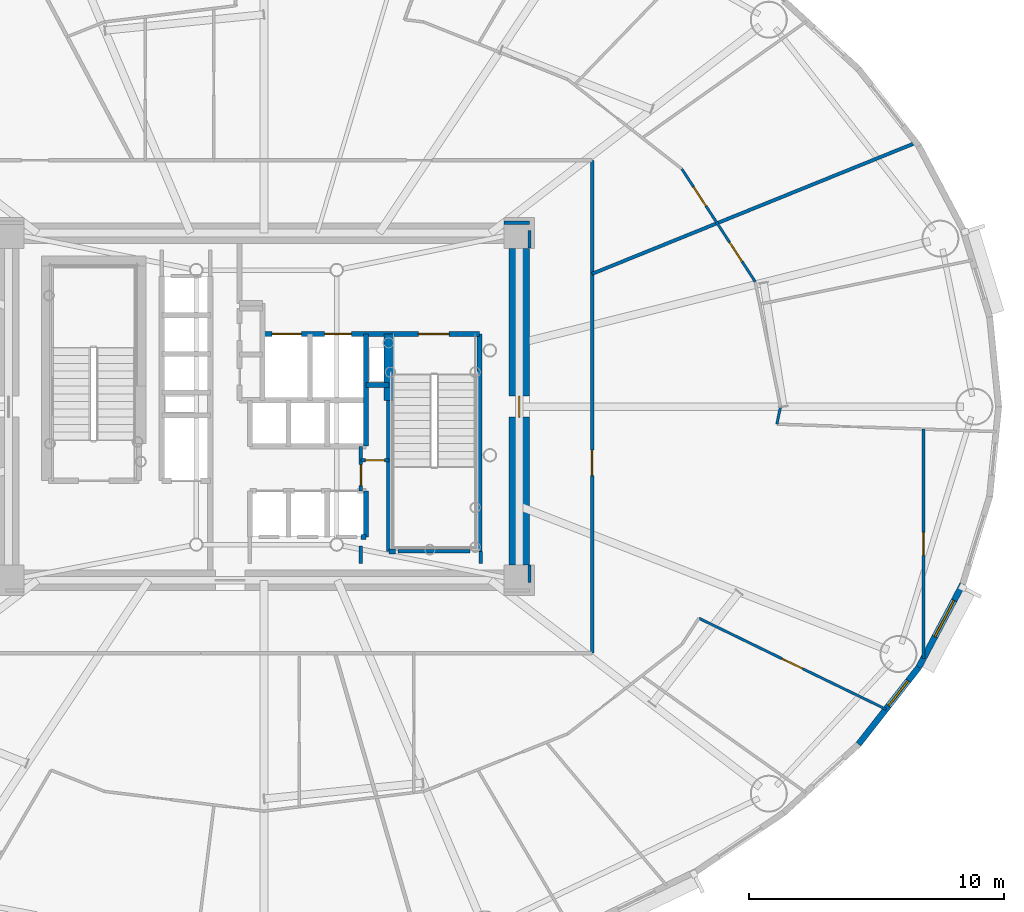
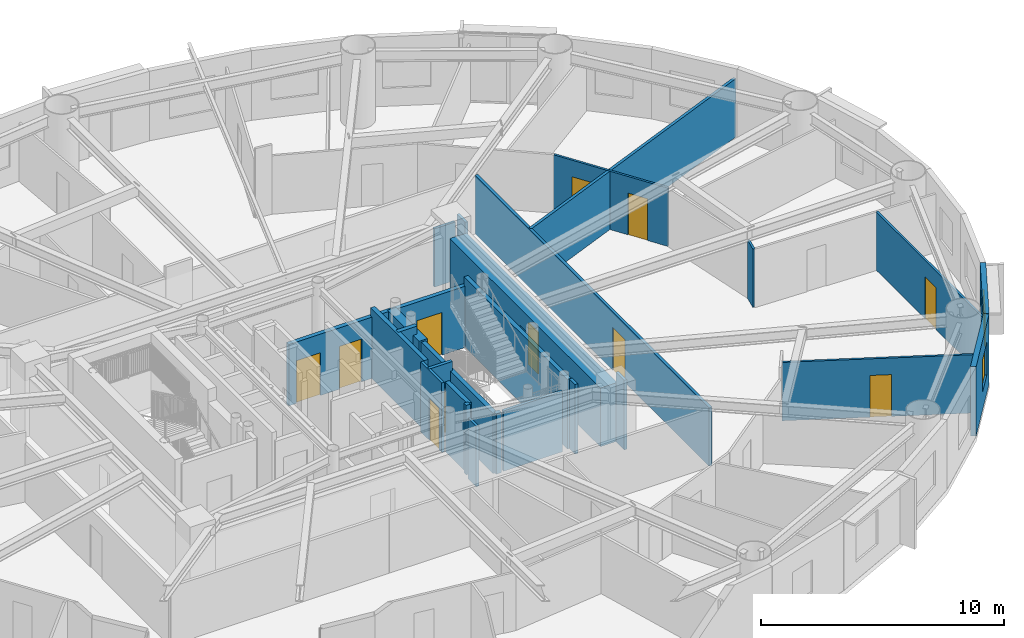
# One storey, part 14 of 22: 26 walls, 11 doors, 2 windows, 13 openings.
"""IFC4 building model written with IfcOpenShell, lengths in metres."""

from ifc_helpers import new_model, si_unit, direction, frame, frame_2d, origin, origin_2d, place, context, subcontext, project, spatial, rectangle, extrude, source, transform, mapped, material, layer, layer_set, type_object, element, fill, save


model = new_model("IFC4")

# Units and contexts
model_context = context("Model", 3, precision=1e-05, world=origin(), true_north=direction((0.0, 1.0)))
body_context = subcontext(model_context, "Body", "Model", "MODEL_VIEW")
ifc_project = project(units=[si_unit("LENGTHUNIT", "METRE"), si_unit("AREAUNIT", "SQUARE_METRE"), si_unit("VOLUMEUNIT", "CUBIC_METRE"), si_unit("PLANEANGLEUNIT", "RADIAN"), si_unit("MASSUNIT", "GRAM", prefix="KILO")], contexts=[model_context])

# Site, building, storey
site_placement = place(None, origin())
site = spatial("IfcSite", under=ifc_project, at=site_placement, CompositionType="ELEMENT")
building_placement = place(site_placement, origin())
building = spatial("IfcBuilding", under=site, at=building_placement, Name="Linh Dai School and Residence Tower", CompositionType="ELEMENT")
storey_placement = place(building_placement, frame((0.0, 0.0, 130.949951171875)))
storey = spatial("IfcBuildingStorey", under=building, at=storey_placement, Name="L31", CompositionType="ELEMENT", Elevation=130.949951171875)

# Wall, opening, window
ifc_material_1 = material(Name="Precast Concrete B45 (C35/45)", Category="concrete")
ifc_layer_1 = layer(ifc_material_1, 0.239990234375)
ifc_layer_set_1 = layer_set([ifc_layer_1], Name="Precast Concrete B45 (C35/45)")
wall_type_1 = type_object("IfcWallType", Name="EW-TC-240", PredefinedType="SOLIDWALL", material=ifc_layer_set_1)
wall_1_placement = place(storey_placement, frame((61.645263671875, 16.79443359375, 0.0), z_axis=(0.0, 0.0, 1.0), x_axis=(-0.616272103517, -0.787533297345, 0.0)))
wall_1 = element("IfcWall", 1, at=wall_1_placement, inside=storey, type_object=wall_type_1, Name="L31 Terracotta Exterior Wall 37", PredefinedType="SOLIDWALL", context=body_context, shape_type="SweptSolid", body=[
    extrude(rectangle(XDim=3.8232421875, YDim=0.239990234375, at=frame_2d((1.91162109375, 0.0))), origin(), (0.0, 0.0, 1.0), 3.5),
])
opening_1_placement = place(wall_1_placement, frame((0.673583984375, 0.0, 0.89990234375)))
opening_1 = element("IfcOpeningElement", 2, at=opening_1_placement, cuts=wall_1, Name="Opening W3", PredefinedType="OPENING", context=body_context, shape_type="SweptSolid", body=[
    extrude(rectangle(XDim=1.25, YDim=1.64990234375, at=origin_2d()), frame((0.625, 0.1298828125, 0.824951171875), z_axis=(0.0, -1.0, 0.0), x_axis=(1.0, 0.0, 0.0)), (0.0, 0.0, 1.0), 0.260009765625),
])
ifc_material_2 = material(Name="Double Low-E Insulated Glazing", Category="glass")
window_type_1 = type_object("IfcWindowType", Name="WN-RES-1250x1650", PartitioningType="SINGLE_PANEL", PredefinedType="WINDOW", material=ifc_material_2)
shared_shape_1 = source(origin(), body_context, "Body", "SweptSolid", [
    extrude(rectangle(XDim=1.25, YDim=1.64990234375, at=origin_2d()), frame((0.625, 0.030029296875, 0.824951171875), z_axis=(0.0, -1.0, 0.0), x_axis=(1.0, 0.0, 0.0)), (0.0, 0.0, 1.0), 0.06005859375),
])
window_1_placement = place(opening_1_placement, origin())
window_1 = element("IfcWindow", 3, at=window_1_placement, inside=storey, type_object=window_type_1, Name="L31 Dwelling Window U3102-LIV", OverallHeight=1.64990234375, OverallWidth=1.25, PartitioningType="SINGLE_PANEL", PredefinedType="WINDOW", context=body_context, shape_type="MappedRepresentation", body=[
    mapped(shared_shape_1, transform((0.0, 0.0, 0.0), x_axis=(1.0, 0.0, 0.0), y_axis=(0.0, 1.0, 0.0), z_axis=(0.0, 0.0, 1.0), scale=1.0)),
])
fill(opening_1, window_1)

wall_2_placement = place(storey_placement, frame((63.3701171875, 20.054931640625, 0.0), z_axis=(0.0, 0.0, 1.0), x_axis=(-0.467614004126, -0.883932770716, 0.0)))
wall_2 = element("IfcWall", 4, at=wall_2_placement, inside=storey, type_object=wall_type_1, Name="L31 Terracotta Exterior Wall 38", PredefinedType="SOLIDWALL", context=body_context, shape_type="SweptSolid", body=[
    extrude(rectangle(XDim=3.688720703125, YDim=0.239990234375, at=frame_2d((1.84423828125, 0.0))), origin(), (0.0, 0.0, 1.0), 3.5),
])
opening_2_placement = place(wall_2_placement, frame((0.73388671875, 0.0, 0.89990234375)))
opening_2 = element("IfcOpeningElement", 5, at=opening_2_placement, cuts=wall_2, Name="Opening W2", PredefinedType="OPENING", context=body_context, shape_type="SweptSolid", body=[
    extrude(rectangle(XDim=1.60009765625, YDim=1.75, at=origin_2d()), frame((0.800048828125, 0.1298828125, 0.875), z_axis=(0.0, -1.0, 0.0), x_axis=(1.0, 0.0, 0.0)), (0.0, 0.0, 1.0), 0.260009765625),
])
window_type_2 = type_object("IfcWindowType", Name="WN-RES-1600x1750", PartitioningType="DOUBLE_PANEL_VERTICAL", PredefinedType="WINDOW", material=ifc_material_2)
shared_shape_2 = source(origin(), body_context, "Body", "SweptSolid", [
    extrude(rectangle(XDim=1.60009765625, YDim=1.75, at=origin_2d()), frame((0.800048828125, 0.030029296875, 0.875), z_axis=(0.0, -1.0, 0.0), x_axis=(1.0, 0.0, 0.0)), (0.0, 0.0, 1.0), 0.06005859375),
])
window_2_placement = place(opening_2_placement, origin())
window_2 = element("IfcWindow", 6, at=window_2_placement, inside=storey, type_object=window_type_2, Name="L31 Exterior Window 38.1", OverallHeight=1.75, OverallWidth=1.60009765625, PartitioningType="DOUBLE_PANEL_VERTICAL", PredefinedType="WINDOW", context=body_context, shape_type="MappedRepresentation", body=[
    mapped(shared_shape_2, transform((0.0, 0.0, 0.0), x_axis=(1.0, 0.0, 0.0), y_axis=(0.0, 1.0, 0.0), z_axis=(0.0, 0.0, 1.0), scale=1.0)),
])
fill(opening_2, window_2)

# Wall, opening, door
ifc_material_3 = material(Name="Autoclaved Aerated Concrete Blockwork", Category="masonry")
ifc_layer_2 = layer(ifc_material_3, 0.135009765625)
ifc_layer_set_2 = layer_set([ifc_layer_2], Name="Autoclaved Aerated Concrete Blockwork")
wall_type_2 = type_object("IfcWallType", Name="IW-CORR-135-EI90", PredefinedType="PARTITIONING", material=ifc_layer_set_2)
wall_3_placement = place(storey_placement, frame((39.800048828125, 23.699951171875, 0.0), z_axis=(0.0, 0.0, 1.0), x_axis=(0.0, 1.0, 0.0)))
wall_3 = element("IfcWall", 7, at=wall_3_placement, inside=storey, type_object=wall_type_2, Name="L31 Interior Partition Wall 062", PredefinedType="PARTITIONING", context=body_context, shape_type="SweptSolid", body=[
    extrude(rectangle(XDim=1.75, YDim=0.135009765625, at=frame_2d((0.875, 0.0))), origin(), (0.0, 0.0, 1.0), 3.5),
])
opening_3_placement = place(wall_3_placement, frame((0.2099609375, 0.0, 0.0)))
opening_3 = element("IfcOpeningElement", 8, at=opening_3_placement, cuts=wall_3, Name="Opening D06", PredefinedType="OPENING", context=body_context, shape_type="SweptSolid", body=[
    extrude(rectangle(XDim=0.820068359375, YDim=2.10009765625, at=origin_2d()), frame((0.41015625, 0.07763671875, 1.050048828125), z_axis=(0.0, -1.0, 0.0), x_axis=(1.0, 0.0, 0.0)), (0.0, 0.0, 1.0), 0.155029296875),
])
ifc_material_4 = material(Name="Moisture-Resistant Timber Bathroom Door", Category="wood")
door_type_1 = type_object("IfcDoorType", Name="DR-WET-820x2100", OperationType="NOTDEFINED", PredefinedType="DOOR", material=ifc_material_4)
shared_shape_3 = source(origin(), body_context, "Body", "SweptSolid", [
    extrude(rectangle(XDim=0.820068359375, YDim=2.10009765625, at=origin_2d()), frame((0.41015625, 0.02490234375, 1.050048828125), z_axis=(0.0, -1.0, 0.0), x_axis=(1.0, 0.0, 0.0)), (0.0, 0.0, 1.0), 0.050048828125),
])
door_1_placement = place(opening_3_placement, origin())
door_1 = element("IfcDoor", 9, at=door_1_placement, inside=storey, type_object=door_type_1, Name="L31 SE Metering Closet Door", OperationType="SINGLE_SWING_LEFT", OverallHeight=2.10009765625, OverallWidth=0.820068359375, PredefinedType="DOOR", context=body_context, shape_type="MappedRepresentation", body=[
    mapped(shared_shape_3, transform((0.0, 0.0, 0.0), x_axis=(1.0, 0.0, 0.0), y_axis=(0.0, 1.0, 0.0), z_axis=(0.0, 0.0, 1.0), scale=1.0)),
])
fill(opening_3, door_1)

wall_4_placement = place(storey_placement, frame((48.85009765625, 17.35009765625, 0.0), z_axis=(0.0, 0.0, 1.0), x_axis=(0.0, 1.0, 0.0)))
wall_4 = element("IfcWall", 10, at=wall_4_placement, inside=storey, type_object=wall_type_2, Name="L31 Interior Partition Wall 081", PredefinedType="PARTITIONING", context=body_context, shape_type="SweptSolid", body=[
    extrude(rectangle(XDim=19.2998046875, YDim=0.135009765625, at=frame_2d((9.64990234375, 0.0))), origin(), (0.0, 0.0, 1.0), 2.93505859375),
])
opening_4_placement = place(wall_4_placement, frame((6.946044921875, 0.0, 0.0)))
opening_4 = element("IfcOpeningElement", 11, at=opening_4_placement, cuts=wall_4, Name="Opening D03", PredefinedType="OPENING", context=body_context, shape_type="SweptSolid", body=[
    extrude(rectangle(XDim=1.0, YDim=2.14990234375, at=origin_2d()), frame((0.5, 0.07763671875, 1.074951171875), z_axis=(0.0, -1.0, 0.0), x_axis=(1.0, 0.0, 0.0)), (0.0, 0.0, 1.0), 0.155029296875),
])
ifc_material_5 = material(Name="Fire-Rated Solid Timber Entrance Door", Category="wood")
door_type_2 = type_object("IfcDoorType", Name="DR-FLAT-1000x2150-FD60S", OperationType="NOTDEFINED", PredefinedType="DOOR", material=ifc_material_5)
shared_shape_4 = source(origin(), body_context, "Body", "SweptSolid", [
    extrude(rectangle(XDim=1.0, YDim=2.14990234375, at=origin_2d()), frame((0.5, 0.02490234375, 1.074951171875), z_axis=(0.0, -1.0, 0.0), x_axis=(1.0, 0.0, 0.0)), (0.0, 0.0, 1.0), 0.050048828125),
])
door_2_placement = place(opening_4_placement, origin())
door_2 = element("IfcDoor", 12, at=door_2_placement, inside=storey, type_object=door_type_2, Name="L31 U3102 Apartment Entrance Door", OperationType="SINGLE_SWING_RIGHT", OverallHeight=2.14990234375, OverallWidth=1.0, PredefinedType="DOOR", context=body_context, shape_type="MappedRepresentation", body=[
    mapped(shared_shape_4, transform((0.0, 0.0, 0.0), x_axis=(1.0, 0.0, 0.0), y_axis=(0.0, 1.0, 0.0), z_axis=(0.0, 0.0, 1.0), scale=1.0)),
])
fill(opening_4, door_2)

# Walls
wall_5_placement = place(storey_placement, frame((48.85009765625, 32.2021484375, 0.0), z_axis=(0.0, 0.0, 1.0), x_axis=(0.92691714139, 0.375266056281, 0.0)))
element("IfcWall", 13, at=wall_5_placement, inside=storey, type_object=wall_type_2, Name="L31 Interior Partition Wall 082", PredefinedType="PARTITIONING", context=body_context, shape_type="SweptSolid", body=[
    extrude(rectangle(XDim=13.696044921875, YDim=0.135009765625, at=frame_2d((6.84814453125, 0.0))), origin(), (0.0, 0.0, 1.0), 2.93505859375),
])
wall_6_placement = place(storey_placement, frame((44.080078125, 21.330078125, 0.0), z_axis=(0.0, 0.0, 1.0), x_axis=(-1.0, 0.0, 0.0)))
element("IfcWall", 14, at=wall_6_placement, inside=storey, type_object=wall_type_2, Name="L31 Interior Partition Wall 093", PredefinedType="PARTITIONING", context=body_context, shape_type="SweptSolid", body=[
    extrude(rectangle(XDim=2.820068359375, YDim=0.135009765625, at=frame_2d((1.41015625, 0.0))), origin(), (0.0, 0.0, 1.0), 3.03515625),
])
wall_7_placement = place(storey_placement, frame((39.800048828125, 20.860107421875, 0.0), z_axis=(0.0, 0.0, 1.0), x_axis=(0.0, 1.0, 0.0)))
element("IfcWall", 15, at=wall_7_placement, inside=storey, type_object=wall_type_2, Name="L31 Interior Partition Wall 098", PredefinedType="PARTITIONING", context=body_context, shape_type="SweptSolid", body=[
    extrude(rectangle(XDim=0.679931640625, YDim=0.135009765625, at=frame_2d((0.33984375, 0.0))), origin(), (0.0, 0.0, 1.0), 3.03515625),
])
wall_8_placement = place(storey_placement, frame((44.5, 20.860107421875, 0.0), z_axis=(0.0, 0.0, 1.0), x_axis=(0.0, 1.0, 0.0)))
element("IfcWall", 16, at=wall_8_placement, inside=storey, type_object=wall_type_2, Name="L31 Interior Partition Wall 100", PredefinedType="PARTITIONING", context=body_context, shape_type="SweptSolid", body=[
    extrude(rectangle(XDim=0.4599609375, YDim=0.135009765625, at=frame_2d((0.22998046875, 0.0))), origin(), (0.0, 0.0, 1.0), 3.5),
])
wall_9_placement = place(storey_placement, frame((46.39990234375, 34.199951171875, 0.0), z_axis=(0.0, 0.0, 1.0), x_axis=(-1.0, 0.0, 0.0)))
element("IfcWall", 17, at=wall_9_placement, inside=storey, type_object=wall_type_2, Name="L31 Interior Partition Wall 105", PredefinedType="PARTITIONING", context=body_context, shape_type="SweptSolid", body=[
    extrude(rectangle(XDim=0.989990234375, YDim=0.135009765625, at=frame_2d((0.4951171875, 0.0))), origin(), (0.0, 0.0, 1.0), 2.93505859375),
])
for number, where, z_axis, x_axis, name in (
    (18, (46.39990234375, 20.107421875, 0.0), (0.0, 0.0, 1.0), (0.0, 1.0, 0.0), "L31 Interior Partition Wall 111"),
    (19, (46.39990234375, 33.2099609375, 0.0), (0.0, 0.0, 1.0), (0.0, 1.0, 0.0), "L31 Interior Partition Wall 112"),
):
    element("IfcWall", number, at=place(storey_placement, frame(where, z_axis=z_axis, x_axis=x_axis)), inside=storey, type_object=wall_type_2, Name=name, PredefinedType="PARTITIONING", context=body_context, shape_type="SweptSolid", body=[
        extrude(rectangle(XDim=0.6826171875, YDim=0.135009765625, at=frame_2d((0.34130859375, 0.0))), origin(), (0.0, 0.0, 1.0), 3.5),
    ])

# Wall, opening, door
ifc_layer_3 = layer(ifc_material_3, 0.14990234375)
ifc_layer_set_3 = layer_set([ifc_layer_3], Name="Autoclaved Aerated Concrete Blockwork")
wall_type_3 = type_object("IfcWallType", Name="IW-SCH-150-EI60", PredefinedType="PARTITIONING", material=ifc_layer_set_3)
wall_10_placement = place(storey_placement, frame((39.800048828125, 24.89990234375, 0.0), z_axis=(0.0, 0.0, 1.0), x_axis=(1.0, 0.0, 0.0)))
wall_10 = element("IfcWall", 20, at=wall_10_placement, inside=storey, type_object=wall_type_3, Name="L31 Interior Partition Wall 063", PredefinedType="PARTITIONING", context=body_context, shape_type="SweptSolid", body=[
    extrude(rectangle(XDim=1.099853515625, YDim=0.14990234375, at=frame_2d((0.5498046875, 0.0))), origin(), (0.0, 0.0, 1.0), 3.5),
])
opening_5_placement = place(wall_10_placement, frame((0.169921875, 0.0, 0.0)))
opening_5 = element("IfcOpeningElement", 21, at=opening_5_placement, cuts=wall_10, Name="Opening D08", PredefinedType="OPENING", context=body_context, shape_type="SweptSolid", body=[
    extrude(rectangle(XDim=0.760009765625, YDim=2.10009765625, at=origin_2d()), frame((0.3798828125, 0.0849609375, 1.050048828125), z_axis=(0.0, -1.0, 0.0), x_axis=(1.0, 0.0, 0.0)), (0.0, 0.0, 1.0), 0.169921875),
])
ifc_material_6 = material(Name="Engineered Timber Closet and Study Door", Category="wood")
door_type_3 = type_object("IfcDoorType", Name="DR-CMP-760x2100", OperationType="NOTDEFINED", PredefinedType="DOOR", material=ifc_material_6)
shared_shape_5 = source(origin(), body_context, "Body", "SweptSolid", [
    extrude(rectangle(XDim=0.760009765625, YDim=2.10009765625, at=origin_2d()), frame((0.3798828125, 0.02490234375, 1.050048828125), z_axis=(0.0, -1.0, 0.0), x_axis=(1.0, 0.0, 0.0)), (0.0, 0.0, 1.0), 0.050048828125),
])
door_3_placement = place(opening_5_placement, origin())
door_3 = element("IfcDoor", 22, at=door_3_placement, inside=storey, type_object=door_type_3, Name="L31 NE Cleaners Store Door", OperationType="SINGLE_SWING_RIGHT", OverallHeight=2.10009765625, OverallWidth=0.760009765625, PredefinedType="DOOR", context=body_context, shape_type="MappedRepresentation", body=[
    mapped(shared_shape_5, transform((0.0, 0.0, 0.0), x_axis=(1.0, 0.0, 0.0), y_axis=(0.0, 1.0, 0.0), z_axis=(0.0, 0.0, 1.0), scale=1.0)),
])
fill(opening_5, door_3)

# Wall, openings, doors
ifc_material_7 = material(Name="Concrete B45 (C35/45)", Category="concrete")
ifc_layer_4 = layer(ifc_material_7, 0.199951171875)
ifc_layer_set_4 = layer_set([ifc_layer_4], Name="Concrete B45 (C35/45)")
wall_type_4 = type_object("IfcWallType", Name="IW-SHAFT-200-EI120", PredefinedType="PARTITIONING", material=ifc_layer_set_4)
wall_11_placement = place(storey_placement, frame((35.949951171875, 29.85009765625, 0.0), z_axis=(0.0, 0.0, 1.0), x_axis=(1.0, 0.0, 0.0)))
wall_11 = element("IfcWall", 23, at=wall_11_placement, inside=storey, type_object=wall_type_4, Name="L31 Interior Partition Wall 051", PredefinedType="PARTITIONING", context=body_context, shape_type="SweptSolid", body=[
    extrude(rectangle(XDim=8.489990234375, YDim=0.199951171875, at=frame_2d((4.2451171875, 0.0))), origin(), (0.0, 0.0, 1.0), 3.0849609375),
])
opening_6_placement = place(wall_11_placement, frame((6.10009765625, 0.0, 0.0)))
opening_6 = element("IfcOpeningElement", 24, at=opening_6_placement, cuts=wall_11, Name="Opening D01", PredefinedType="OPENING", context=body_context, shape_type="SweptSolid", body=[
    extrude(rectangle(XDim=1.199951171875, YDim=2.14990234375, at=origin_2d()), frame((0.60009765625, 0.10986328125, 1.074951171875), z_axis=(0.0, -1.0, 0.0), x_axis=(1.0, 0.0, 0.0)), (0.0, 0.0, 1.0), 0.219970703125),
])
opening_7_placement = place(wall_11_placement, frame((0.3701171875, 0.0, 0.0)))
opening_7 = element("IfcOpeningElement", 25, at=opening_7_placement, cuts=wall_11, Name="Opening LD-FF1", PredefinedType="OPENING", context=body_context, shape_type="SweptSolid", body=[
    extrude(rectangle(XDim=1.14990234375, YDim=2.14990234375, at=origin_2d()), frame((0.574951171875, 0.10986328125, 1.074951171875), z_axis=(0.0, -1.0, 0.0), x_axis=(1.0, 0.0, 0.0)), (0.0, 0.0, 1.0), 0.219970703125),
])
opening_8_placement = place(wall_11_placement, frame((2.425048828125, 0.0, 0.0)))
opening_8 = element("IfcOpeningElement", 26, at=opening_8_placement, cuts=wall_11, Name="Opening LD-SV1", PredefinedType="OPENING", context=body_context, shape_type="SweptSolid", body=[
    extrude(rectangle(XDim=1.050048828125, YDim=2.14990234375, at=origin_2d()), frame((0.52490234375, 0.10986328125, 1.074951171875), z_axis=(0.0, -1.0, 0.0), x_axis=(1.0, 0.0, 0.0)), (0.0, 0.0, 1.0), 0.219970703125),
])
ifc_material_8 = material(Name="Fire-Rated Steel Door Leaf", Category="steel")
door_type_4 = type_object("IfcDoorType", Name="DR-STAIR-1200x2150-FD90S", OperationType="NOTDEFINED", PredefinedType="DOOR", material=ifc_material_8)
shared_shape_6 = source(origin(), body_context, "Body", "SweptSolid", [
    extrude(rectangle(XDim=1.199951171875, YDim=2.14990234375, at=origin_2d()), frame((0.60009765625, 0.02490234375, 1.074951171875), z_axis=(0.0, -1.0, 0.0), x_axis=(1.0, 0.0, 0.0)), (0.0, 0.0, 1.0), 0.050048828125),
])
door_4_placement = place(opening_6_placement, origin())
door_4 = element("IfcDoor", 27, at=door_4_placement, inside=storey, type_object=door_type_4, Name="L31 Core Smokeproof Exit Stair ST2 Door", OperationType="SINGLE_SWING_RIGHT", OverallHeight=2.14990234375, OverallWidth=1.199951171875, PredefinedType="DOOR", context=body_context, shape_type="MappedRepresentation", body=[
    mapped(shared_shape_6, transform((0.0, 0.0, 0.0), x_axis=(1.0, 0.0, 0.0), y_axis=(0.0, 1.0, 0.0), z_axis=(0.0, 0.0, 1.0), scale=1.0)),
])
fill(opening_6, door_4)
ifc_material_9 = material(Name="Fire-Rated Stainless Steel Firefighting Lift Door", Category="steel")
door_type_5 = type_object("IfcDoorType", Name="DR-LD-FF-1150x2150-FD120", OperationType="DOUBLE_DOOR_SLIDING", PredefinedType="USERDEFINED", material=ifc_material_9)
shared_shape_7 = source(origin(), body_context, "Body", "SweptSolid", [
    extrude(rectangle(XDim=1.14990234375, YDim=2.14990234375, at=origin_2d()), frame((0.574951171875, 0.02490234375, 1.074951171875), z_axis=(0.0, -1.0, 0.0), x_axis=(1.0, 0.0, 0.0)), (0.0, 0.0, 1.0), 0.050048828125),
])
door_5_placement = place(opening_7_placement, origin())
door_5 = element("IfcDoor", 28, at=door_5_placement, inside=storey, type_object=door_type_5, Name="L31 Lift FF1 Sliding Landing Door", ObjectType="LANDING DOOR", OperationType="DOUBLE_DOOR_SLIDING", OverallHeight=2.14990234375, OverallWidth=1.14990234375, PredefinedType="USERDEFINED", context=body_context, shape_type="MappedRepresentation", body=[
    mapped(shared_shape_7, transform((0.0, 0.0, 0.0), x_axis=(1.0, 0.0, 0.0), y_axis=(0.0, 1.0, 0.0), z_axis=(0.0, 0.0, 1.0), scale=1.0)),
])
fill(opening_7, door_5)
ifc_material_10 = material(Name="Brushed Stainless Steel Lift Landing Door", Category="steel")
door_type_6 = type_object("IfcDoorType", Name="DR-LD-PASS-1050x2150", OperationType="DOUBLE_DOOR_SLIDING", PredefinedType="USERDEFINED", material=ifc_material_10)
shared_shape_8 = source(origin(), body_context, "Body", "SweptSolid", [
    extrude(rectangle(XDim=1.050048828125, YDim=2.14990234375, at=origin_2d()), frame((0.52490234375, 0.02490234375, 1.074951171875), z_axis=(0.0, -1.0, 0.0), x_axis=(1.0, 0.0, 0.0)), (0.0, 0.0, 1.0), 0.050048828125),
])
door_6_placement = place(opening_8_placement, origin())
door_6 = element("IfcDoor", 29, at=door_6_placement, inside=storey, type_object=door_type_6, Name="L31 Lift SV1 Sliding Landing Door", ObjectType="LANDING DOOR", OperationType="DOUBLE_DOOR_SLIDING", OverallHeight=2.14990234375, OverallWidth=1.050048828125, PredefinedType="USERDEFINED", context=body_context, shape_type="MappedRepresentation", body=[
    mapped(shared_shape_8, transform((0.0, 0.0, 0.0), x_axis=(1.0, 0.0, 0.0), y_axis=(0.0, 1.0, 0.0), z_axis=(0.0, 0.0, 1.0), scale=1.0)),
])
fill(opening_8, door_6)

# Walls
wall_12_placement = place(storey_placement, frame((39.800048828125, 21.89990234375, 0.0), z_axis=(0.0, 0.0, 1.0), x_axis=(1.0, 0.0, 0.0)))
element("IfcWall", 30, at=wall_12_placement, inside=storey, type_object=wall_type_4, Name="L31 Interior Partition Wall 061", PredefinedType="PARTITIONING", context=body_context, shape_type="SweptSolid", body=[
    extrude(rectangle(XDim=0.199951171875, YDim=0.199951171875, at=frame_2d((0.10009765625, 0.0))), origin(), (0.0, 0.0, 1.0), 3.5),
])
wall_13_placement = place(storey_placement, frame((40.0, 21.89990234375, 0.0), z_axis=(0.0, 0.0, 1.0), x_axis=(0.0, 1.0, 0.0)))
element("IfcWall", 31, at=wall_13_placement, inside=storey, type_object=wall_type_4, Name="L31 Interior Partition Wall 064", PredefinedType="PARTITIONING", context=body_context, shape_type="SweptSolid", body=[
    extrude(rectangle(XDim=1.800048828125, YDim=0.199951171875, at=frame_2d((0.89990234375, 0.0))), origin(), (0.0, 0.0, 1.0), 3.5),
])
wall_14_placement = place(storey_placement, frame((40.0, 25.449951171875, 0.0), z_axis=(0.0, 0.0, 1.0), x_axis=(0.0, 1.0, 0.0)))
element("IfcWall", 32, at=wall_14_placement, inside=storey, type_object=wall_type_4, Name="L31 Interior Partition Wall 065", PredefinedType="PARTITIONING", context=body_context, shape_type="SweptSolid", body=[
    extrude(rectangle(XDim=4.400146484375, YDim=0.199951171875, at=frame_2d((2.2001953125, 0.0))), origin(), (0.0, 0.0, 1.0), 3.5),
])
wall_15_placement = place(storey_placement, frame((40.0, 27.85009765625, 0.0), z_axis=(0.0, 0.0, 1.0), x_axis=(1.0, 0.0, 0.0)))
element("IfcWall", 33, at=wall_15_placement, inside=storey, type_object=wall_type_4, Name="L31 Interior Partition Wall 066", PredefinedType="PARTITIONING", context=body_context, shape_type="SweptSolid", body=[
    extrude(rectangle(XDim=0.89990234375, YDim=0.199951171875, at=frame_2d((0.449951171875, 0.0))), origin(), (0.0, 0.0, 1.0), 3.5),
])
wall_16_placement = place(storey_placement, frame((40.89990234375, 21.330078125, 0.0), z_axis=(0.0, 0.0, 1.0), x_axis=(0.0, 1.0, 0.0)))
element("IfcWall", 34, at=wall_16_placement, inside=storey, type_object=wall_type_4, Name="L31 Interior Partition Wall 067", PredefinedType="PARTITIONING", context=body_context, shape_type="SweptSolid", body=[
    extrude(rectangle(XDim=5.909912109375, YDim=0.199951171875, at=frame_2d((2.955078125, 0.0))), origin(), (0.0, 0.0, 1.0), 3.03515625),
])
wall_17_placement = place(storey_placement, frame((40.89990234375, 21.330078125, 0.0), z_axis=(0.0, 0.0, 1.0), x_axis=(1.0, 0.0, 0.0)))
element("IfcWall", 35, at=wall_17_placement, inside=storey, type_object=wall_type_4, Name="L31 Interior Partition Wall 068", PredefinedType="PARTITIONING", context=body_context, shape_type="SweptSolid", body=[
    extrude(rectangle(XDim=0.25, YDim=0.199951171875, at=frame_2d((0.125, 0.0))), origin(), (0.0, 0.0, 1.0), 3.03515625),
])
wall_18_placement = place(storey_placement, frame((44.43994140625, 21.330078125, 0.0), z_axis=(0.0, 0.0, 1.0), x_axis=(0.0, 1.0, 0.0)))
element("IfcWall", 36, at=wall_18_placement, inside=storey, type_object=wall_type_4, Name="L31 Interior Partition Wall 076", PredefinedType="PARTITIONING", context=body_context, shape_type="SweptSolid", body=[
    extrude(rectangle(XDim=8.52001953125, YDim=0.199951171875, at=frame_2d((4.260009765625, 0.0))), origin(), (0.0, 0.0, 1.0), 3.5),
])

# Wall, openings, doors
ifc_material_11 = material(Name="Gypsum Plasterboard Acoustic Stud Partition", Category="masonry")
ifc_layer_5 = layer(ifc_material_11, 0.10009765625)
ifc_layer_set_5 = layer_set([ifc_layer_5], Name="Gypsum Plasterboard Acoustic Stud Partition")
wall_type_5 = type_object("IfcWallType", Name="IW-UNIT-100", PredefinedType="PARTITIONING", material=ifc_layer_set_5)
wall_19_placement = place(storey_placement, frame((52.366455078125, 36.31103515625, 0.0), z_axis=(0.0, 0.0, 1.0), x_axis=(0.545405249109, -0.838172484781, 0.0)))
wall_19 = element("IfcWall", 37, at=wall_19_placement, inside=storey, type_object=wall_type_5, Name="L31 Interior Partition Wall 086", PredefinedType="PARTITIONING", context=body_context, shape_type="SweptSolid", body=[
    extrude(rectangle(XDim=5.2685546875, YDim=0.10009765625, at=frame_2d((2.63427734375, 0.0))), origin(), (0.0, 0.0, 1.0), 2.93505859375),
])
opening_9_placement = place(wall_19_placement, frame((3.43212890625, 0.0, 0.0)))
opening_9 = element("IfcOpeningElement", 38, at=opening_9_placement, cuts=wall_19, Name="Opening D05", PredefinedType="OPENING", context=body_context, shape_type="SweptSolid", body=[
    extrude(rectangle(XDim=0.89990234375, YDim=2.10009765625, at=origin_2d()), frame((0.449951171875, 0.06005859375, 1.050048828125), z_axis=(0.0, -1.0, 0.0), x_axis=(1.0, 0.0, 0.0)), (0.0, 0.0, 1.0), 0.1201171875),
])
opening_10_placement = place(wall_19_placement, frame((0.837890625, 0.0, 0.0)))
opening_10 = element("IfcOpeningElement", 39, at=opening_10_placement, cuts=wall_19, Name="Opening D05", PredefinedType="OPENING", context=body_context, shape_type="SweptSolid", body=[
    extrude(rectangle(XDim=0.89990234375, YDim=2.10009765625, at=origin_2d()), frame((0.449951171875, 0.06005859375, 1.050048828125), z_axis=(0.0, -1.0, 0.0), x_axis=(1.0, 0.0, 0.0)), (0.0, 0.0, 1.0), 0.1201171875),
])
ifc_material_12 = material(Name="Engineered Timber Internal Door", Category="wood")
door_type_7 = type_object("IfcDoorType", Name="DR-INT-900x2100", OperationType="NOTDEFINED", PredefinedType="DOOR", material=ifc_material_12)
shared_shape_9 = source(origin(), body_context, "Body", "SweptSolid", [
    extrude(rectangle(XDim=0.89990234375, YDim=2.10009765625, at=origin_2d()), frame((0.449951171875, 0.02490234375, 1.050048828125), z_axis=(0.0, -1.0, 0.0), x_axis=(1.0, 0.0, 0.0)), (0.0, 0.0, 1.0), 0.050048828125),
])
door_7_placement = place(opening_9_placement, origin())
door_7 = element("IfcDoor", 40, at=door_7_placement, inside=storey, type_object=door_type_7, Name="L31 Apartment U3102 Study Door", OperationType="SINGLE_SWING_RIGHT", OverallHeight=2.10009765625, OverallWidth=0.89990234375, PredefinedType="DOOR", context=body_context, shape_type="MappedRepresentation", body=[
    mapped(shared_shape_9, transform((0.0, 0.0, 0.0), x_axis=(1.0, 0.0, 0.0), y_axis=(0.0, 1.0, 0.0), z_axis=(0.0, 0.0, 1.0), scale=1.0)),
])
fill(opening_9, door_7)
door_8_placement = place(opening_10_placement, origin())
door_8 = element("IfcDoor", 41, at=door_8_placement, inside=storey, type_object=door_type_7, Name="L31 Apartment U3103 Principal Bedroom 1 Door", OperationType="SINGLE_SWING_RIGHT", OverallHeight=2.10009765625, OverallWidth=0.89990234375, PredefinedType="DOOR", context=body_context, shape_type="MappedRepresentation", body=[
    mapped(shared_shape_9, transform((0.0, 0.0, 0.0), x_axis=(1.0, 0.0, 0.0), y_axis=(0.0, 1.0, 0.0), z_axis=(0.0, 0.0, 1.0), scale=1.0)),
])
fill(opening_10, door_8)

# Wall, opening, door
wall_20_placement = place(storey_placement, frame((53.03369140625, 18.71435546875, 0.0), z_axis=(0.0, 0.0, 1.0), x_axis=(0.899250054894, -0.437434953761, 0.0)))
wall_20 = element("IfcWall", 42, at=wall_20_placement, inside=storey, type_object=wall_type_5, Name="L31 Interior Partition Wall 087", PredefinedType="PARTITIONING", context=body_context, shape_type="SweptSolid", body=[
    extrude(rectangle(XDim=8.1513671875, YDim=0.10009765625, at=frame_2d((4.07568359375, 0.0))), origin(), (0.0, 0.0, 1.0), 2.93505859375),
])
opening_11_placement = place(wall_20_placement, frame((3.625732421875, 0.0, 0.0)))
opening_11 = element("IfcOpeningElement", 43, at=opening_11_placement, cuts=wall_20, Name="Opening D05", PredefinedType="OPENING", context=body_context, shape_type="SweptSolid", body=[
    extrude(rectangle(XDim=0.89990234375, YDim=2.10009765625, at=origin_2d()), frame((0.449951171875, 0.06005859375, 1.050048828125), z_axis=(0.0, -1.0, 0.0), x_axis=(1.0, 0.0, 0.0)), (0.0, 0.0, 1.0), 0.1201171875),
])
door_9_placement = place(opening_11_placement, origin())
door_9 = element("IfcDoor", 44, at=door_9_placement, inside=storey, type_object=door_type_7, Name="L31 Apartment U3102 Study Door", OperationType="SINGLE_SWING_RIGHT", OverallHeight=2.10009765625, OverallWidth=0.89990234375, PredefinedType="DOOR", context=body_context, shape_type="MappedRepresentation", body=[
    mapped(shared_shape_9, transform((0.0, 0.0, 0.0), x_axis=(1.0, 0.0, 0.0), y_axis=(0.0, 1.0, 0.0), z_axis=(0.0, 0.0, 1.0), scale=1.0)),
])
fill(opening_11, door_9)

# Wall
wall_21_placement = place(storey_placement, frame((56.091552734375, 26.31591796875, 0.0), z_axis=(0.0, 0.0, 1.0), x_axis=(0.198335504954, 0.980134188504, 0.0)))
element("IfcWall", 45, at=wall_21_placement, inside=storey, type_object=wall_type_5, Name="L31 Interior Partition Wall 090", PredefinedType="PARTITIONING", context=body_context, shape_type="SweptSolid", body=[
    extrude(rectangle(XDim=0.697998046875, YDim=0.10009765625, at=frame_2d((0.34912109375, 0.0))), origin(), (0.0, 0.0, 1.0), 2.93505859375),
])

# Wall, opening, door
wall_22_placement = place(storey_placement, frame((61.830810546875, 17.134521484375, 0.0), z_axis=(0.0, 0.0, 1.0), x_axis=(0.0, 1.0, 0.0)))
wall_22 = element("IfcWall", 46, at=wall_22_placement, inside=storey, type_object=wall_type_5, Name="L31 Interior Partition Wall 092", PredefinedType="PARTITIONING", context=body_context, shape_type="SweptSolid", body=[
    extrude(rectangle(XDim=8.986083984375, YDim=0.10009765625, at=frame_2d((4.4931640625, 0.0))), origin(), (0.0, 0.0, 1.0), 2.93505859375),
])
opening_12_placement = place(wall_22_placement, frame((4.04296875, 0.0, 0.0)))
opening_12 = element("IfcOpeningElement", 47, at=opening_12_placement, cuts=wall_22, Name="Opening D05", PredefinedType="OPENING", context=body_context, shape_type="SweptSolid", body=[
    extrude(rectangle(XDim=0.89990234375, YDim=2.10009765625, at=origin_2d()), frame((0.449951171875, 0.06005859375, 1.050048828125), z_axis=(0.0, -1.0, 0.0), x_axis=(1.0, 0.0, 0.0)), (0.0, 0.0, 1.0), 0.1201171875),
])
door_10_placement = place(opening_12_placement, origin())
door_10 = element("IfcDoor", 48, at=door_10_placement, inside=storey, type_object=door_type_7, Name="L31 Apartment U3102 Kitchen Door", OperationType="SINGLE_SWING_RIGHT", OverallHeight=2.10009765625, OverallWidth=0.89990234375, PredefinedType="DOOR", context=body_context, shape_type="MappedRepresentation", body=[
    mapped(shared_shape_9, transform((0.0, 0.0, 0.0), x_axis=(1.0, 0.0, 0.0), y_axis=(0.0, 1.0, 0.0), z_axis=(0.0, 0.0, 1.0), scale=1.0)),
])
fill(opening_12, door_10)

# Wall
ifc_layer_6 = layer(ifc_material_7, 0.39990234375)
ifc_layer_set_6 = layer_set([ifc_layer_6], Name="Concrete B45 (C35/45)")
wall_type_6 = type_object("IfcWallType", Name="WL-CORE400", PredefinedType="SHEAR", material=ifc_layer_set_6)
wall_23_placement = place(storey_placement, frame((40.89990234375, 27.25, 0.0), z_axis=(0.0, 0.0, 1.0), x_axis=(0.0, 1.0, 0.0)))
element("IfcWall", 49, at=wall_23_placement, inside=storey, type_object=wall_type_6, Name="L31 Internal Core Shear Wall IE", PredefinedType="SHEAR", context=body_context, shape_type="SweptSolid", body=[
    extrude(rectangle(XDim=2.60009765625, YDim=0.39990234375, at=frame_2d((1.300048828125, 0.0))), origin(), (0.0, 0.0, 1.0), 3.10009765625),
])

# Wall, opening, door
ifc_material_13 = material(Name="Concrete B60 (C50/60)", Category="concrete")
ifc_layer_7 = layer(ifc_material_13, 0.800048828125)
ifc_layer_set_7 = layer_set([ifc_layer_7], Name="Concrete B60 (C50/60)")
wall_type_7 = type_object("IfcWallType", Name="WL-CORE800", PredefinedType="SHEAR", material=ifc_layer_set_7)
wall_24_placement = place(storey_placement, frame((46.0, 33.199951171875, 0.0), z_axis=(0.0, 0.0, 1.0), x_axis=(0.0, -1.0, 0.0)))
wall_24 = element("IfcWall", 50, at=wall_24_placement, inside=storey, type_object=wall_type_7, Name="L31 Central Core Shear Wall E", PredefinedType="SHEAR", context=body_context, shape_type="SweptSolid", body=[
    extrude(rectangle(XDim=12.39990234375, YDim=0.800048828125, at=frame_2d((6.199951171875, 0.0))), origin(), (0.0, 0.0, 1.0), 2.949951171875),
])
opening_13_placement = place(wall_24_placement, frame((5.7900390625, 0.0, 0.0)))
opening_13 = element("IfcOpeningElement", 51, at=opening_13_placement, cuts=wall_24, Name="Opening D06", PredefinedType="OPENING", context=body_context, shape_type="SweptSolid", body=[
    extrude(rectangle(XDim=0.820068359375, YDim=2.10009765625, at=origin_2d()), frame((0.41015625, 0.41015625, 1.050048828125), z_axis=(0.0, -1.0, 0.0), x_axis=(1.0, 0.0, 0.0)), (0.0, 0.0, 1.0), 0.820068359375),
])
door_11_placement = place(opening_13_placement, origin())
door_11 = element("IfcDoor", 52, at=door_11_placement, inside=storey, type_object=door_type_1, Name="L31 Firefighting Lobby Door", OperationType="SINGLE_SWING_LEFT", OverallHeight=2.10009765625, OverallWidth=0.820068359375, PredefinedType="DOOR", context=body_context, shape_type="MappedRepresentation", body=[
    mapped(shared_shape_3, transform((0.0, 0.0, 0.0), x_axis=(1.0, 0.0, 0.0), y_axis=(0.0, 1.0, 0.0), z_axis=(0.0, 0.0, 1.0), scale=1.0)),
])
fill(opening_13, door_11)

save(model, "model.ifc")
